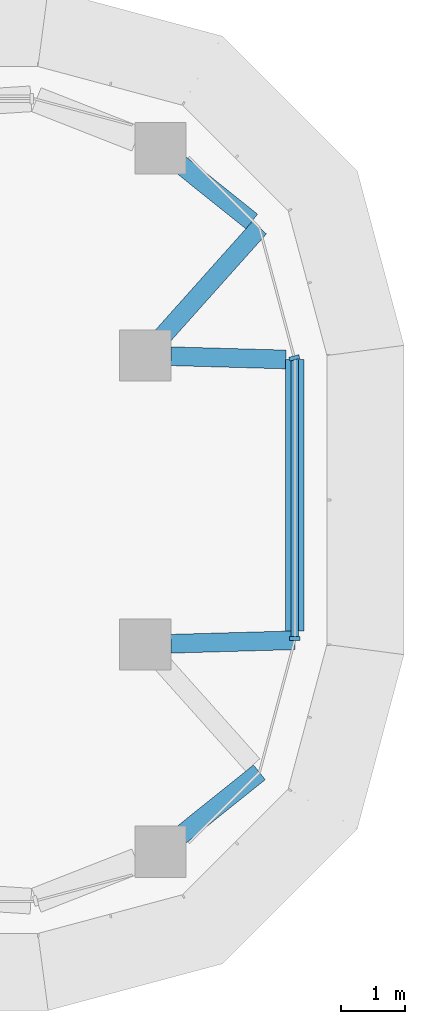
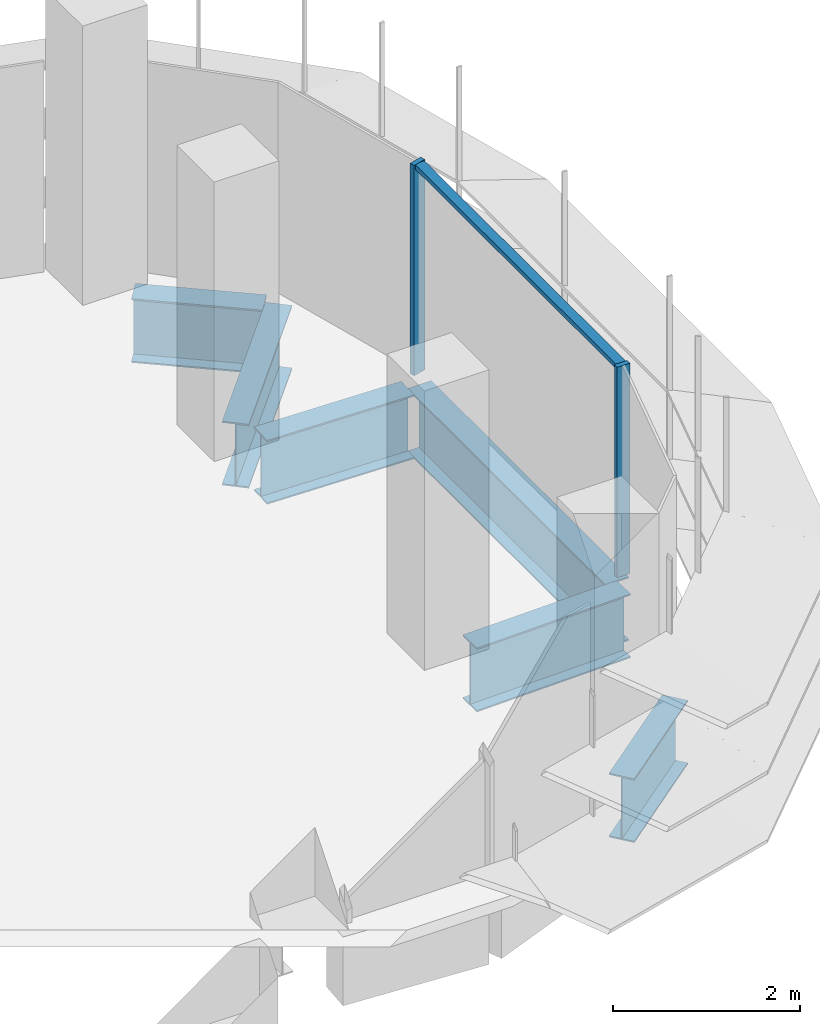
# One storey, part 10 of 19: 6 beams, 3 members, 2 elements without a shape of their own.
"""IFC4 building model written with IfcOpenShell, lengths in metres."""

from ifc_helpers import new_model, si_unit, direction, frame, origin, origin_2d, place, context, subcontext, project, spatial, polyline, i_section, outline, extrude, source, transform, mapped, material, material_profile, profile_set, type_object, element, aggregate, save


model = new_model("IFC4")

# Units and contexts
model_context = context("Model", 3, precision=1e-05, world=origin(), true_north=direction((0.0, 1.0)))
body_context = subcontext(model_context, "Body", "Model", "MODEL_VIEW")
ifc_project = project(units=[si_unit("LENGTHUNIT", "METRE"), si_unit("AREAUNIT", "SQUARE_METRE"), si_unit("VOLUMEUNIT", "CUBIC_METRE"), si_unit("PLANEANGLEUNIT", "RADIAN"), si_unit("MASSUNIT", "GRAM", prefix="KILO")], contexts=[model_context])

# Site, building, storey
site_placement = place(None, origin())
site = spatial("IfcSite", under=ifc_project, at=site_placement, CompositionType="ELEMENT")
building_placement = place(site_placement, origin())
building = spatial("IfcBuilding", under=site, at=building_placement, Name="Zarbagh Exchange Tower", CompositionType="ELEMENT")
storey_placement = place(building_placement, frame((0.0, 0.0, 167.60009765625)))
storey = spatial("IfcBuildingStorey", under=building, at=storey_placement, Name="L40", CompositionType="ELEMENT", Elevation=167.60009765625)

# Beams
ifc_material_1 = material(Name="Steel ASTM A992 Gr 50", Category="steel")
ifc_material_profile = material_profile(ifc_material_1, i_section(OverallWidth=0.2919921875, OverallDepth=0.835693359375, WebThickness=0.013916015625, FlangeThickness=0.018798828125, at=origin_2d()), Name="W33X118")
ifc_profile_set = profile_set([ifc_material_profile], Name="Steel ASTM A992 Gr 50")
beam_type = type_object("IfcBeamType", Name="Floor girder W33X118", PredefinedType="BEAM", material=ifc_profile_set)
beam_1_placement = place(storey_placement, frame((29.22021484375, 5.22509765625, -0.56787109375), z_axis=(0.780533236132, -0.625114283387, 0.0), x_axis=(0.625114283387, 0.780533236132, 0.0)))
element("IfcBeam", 1, at=beam_1_placement, inside=storey, type_object=beam_type, Name="Steel girder", PredefinedType="BEAM", context=body_context, shape_type="SweptSolid", body=[
    extrude(i_section(OverallWidth=0.2919921875, OverallDepth=0.835693359375, WebThickness=0.013916015625, FlangeThickness=0.018798828125, at=origin_2d()), origin(), (0.0, 0.0, 1.0), 1.420166015625),
])
beam_2_placement = place(storey_placement, frame((30.44873046875, 4.2412109375, -0.56787109375), z_axis=(-0.666191013206, -0.745781156857, 0.0), x_axis=(0.745781156857, -0.666191013206, 0.0)))
element("IfcBeam", 2, at=beam_2_placement, inside=storey, type_object=beam_type, Name="Steel girder", PredefinedType="BEAM", context=body_context, shape_type="SweptSolid", body=[
    extrude(i_section(OverallWidth=0.2919921875, OverallDepth=0.835693359375, WebThickness=0.013916015625, FlangeThickness=0.018798828125, at=origin_2d()), origin(), (0.0, 0.0, 1.0), 2.27001953125),
])
beam_3_placement = place(storey_placement, frame((29.06982421875, 2.23876953125, -0.56787109375), z_axis=(0.999600942558, -0.028248108547, 0.0), x_axis=(0.028248108547, 0.999600942558, 0.0)))
element("IfcBeam", 3, at=beam_3_placement, inside=storey, type_object=beam_type, Name="Steel girder", PredefinedType="BEAM", context=body_context, shape_type="SweptSolid", body=[
    extrude(i_section(OverallWidth=0.2919921875, OverallDepth=0.835693359375, WebThickness=0.013916015625, FlangeThickness=0.018798828125, at=origin_2d()), origin(), (0.0, 0.0, 1.0), 1.7890625),
])
beam_4_placement = place(storey_placement, frame((31.0, 2.18408203125, -0.56787109375), z_axis=(0.0, -1.0, 0.0), x_axis=(1.0, 0.0, 0.0)))
element("IfcBeam", 4, at=beam_4_placement, inside=storey, type_object=beam_type, Name="Steel girder", PredefinedType="BEAM", context=body_context, shape_type="SweptSolid", body=[
    extrude(i_section(OverallWidth=0.2919921875, OverallDepth=0.835693359375, WebThickness=0.013916015625, FlangeThickness=0.018798828125, at=origin_2d()), origin(), (0.0, 0.0, 1.0), 4.226318359375),
])
beam_5_placement = place(storey_placement, frame((31.0, -2.18408203125, -0.56787109375), z_axis=(-0.999598864551, -0.028321546377, 0.0), x_axis=(0.028321546377, -0.999598864551, 0.0)))
element("IfcBeam", 5, at=beam_5_placement, inside=storey, type_object=beam_type, Name="Steel girder", PredefinedType="BEAM", context=body_context, shape_type="SweptSolid", body=[
    extrude(i_section(OverallWidth=0.2919921875, OverallDepth=0.835693359375, WebThickness=0.013916015625, FlangeThickness=0.018798828125, at=origin_2d()), origin(), (0.0, 0.0, 1.0), 1.930908203125),
])
beam_6_placement = place(storey_placement, frame((30.44873046875, -4.2412109375, -0.56787109375), z_axis=(-0.780535770033, -0.625111119482, 0.0), x_axis=(0.625111119482, -0.780535770033, 0.0)))
element("IfcBeam", 6, at=beam_6_placement, inside=storey, type_object=beam_type, Name="Steel girder", PredefinedType="BEAM", context=body_context, shape_type="SweptSolid", body=[
    extrude(i_section(OverallWidth=0.2919921875, OverallDepth=0.835693359375, WebThickness=0.013916015625, FlangeThickness=0.018798828125, at=origin_2d()), origin(), (0.0, 0.0, 1.0), 1.573974609375),
])

# Curtain wall, member
ifc_material_2 = material(Name="Anodised aluminium frame and glazing", Category="aluminium")
curtain_wall_type = type_object("IfcCurtainWallType", Name="CWB Ribbon glazing, upper zones", PredefinedType="NOTDEFINED", material=ifc_material_2)
curtain_wall_1_placement = place(storey_placement, origin())
curtain_wall_1 = element("IfcCurtainWall", 7, at=curtain_wall_1_placement, inside=storey, type_object=curtain_wall_type, Name="CWB12 curtain wall", PredefinedType="NOTDEFINED")
ifc_material_3 = material(Name="Anodised aluminium frame", Category="aluminium")
member_type_1 = type_object("IfcMemberType", Name="MUB Mullion, anodised aluminium frame", PredefinedType="MULLION", material=ifc_material_3)
shared_shape_1 = source(origin(), body_context, "Body", "SweptSolid", [
    extrude(outline(polyline([(0.0, -0.080078125), (0.06005859375, -0.080078125), (0.06005859375, 0.080078125), (0.0, 0.080078125), (0.0, -0.080078125)])), origin(), (0.0, 0.0, 1.0), 2.75),
])
placement = place(storey_placement, origin())
member_1 = element("IfcMember", 8, at=placement, type_object=member_type_1, Name="CWB12 mullion 1.1", PredefinedType="MULLION", context=body_context, shape_type="MappedRepresentation", body=[
    mapped(shared_shape_1, transform((31.0, -2.18408203125, 0.0), x_axis=(0.0, 1.0, 0.0), y_axis=(-1.0, 0.0, 0.0), z_axis=(0.0, 0.0, 1.0))),
])

curtain_wall_2_placement = place(storey_placement, origin())
curtain_wall_2 = element("IfcCurtainWall", 9, at=curtain_wall_2_placement, inside=storey, type_object=curtain_wall_type, Name="CWB13 curtain wall", PredefinedType="NOTDEFINED")
member_2 = element("IfcMember", 10, at=placement, type_object=member_type_1, Name="CWB13 mullion 1.1", PredefinedType="MULLION", context=body_context, shape_type="MappedRepresentation", body=[
    mapped(shared_shape_1, transform((31.0, 2.18408203125, 0.0), x_axis=(-0.258824779902, 0.965924289636, 0.0), y_axis=(-0.965924289636, -0.258824779902, 0.0), z_axis=(0.0, 0.0, 1.0))),
])
aggregate(curtain_wall_2, [member_2])

# Member
member_type_2 = type_object("IfcMemberType", Name="TRB Transom, anodised aluminium frame", PredefinedType="USERDEFINED", material=ifc_material_3)
shared_shape_2 = source(origin(), body_context, "Body", "SweptSolid", [
    extrude(outline(polyline([(-0.06005859375, -0.06005859375), (0.0, -0.06005859375), (0.0, 0.06005859375), (-0.06005859375, 0.06005859375), (-0.06005859375, -0.06005859375)])), origin(), (0.0, 0.0, 1.0), 4.308349609375),
])
member_3 = element("IfcMember", 11, at=placement, type_object=member_type_2, Name="CWB12 transom 1.1", ObjectType="TRANSOM", PredefinedType="USERDEFINED", context=body_context, shape_type="MappedRepresentation", body=[
    mapped(shared_shape_2, transform((31.0, -2.124267578125, 2.75), x_axis=(0.0, 0.0, 1.0), y_axis=(1.0, 0.0, 0.0), z_axis=(0.0, 1.0, 0.0))),
])

aggregate(curtain_wall_1, [member_1, member_3])

save(model, "model.ifc")
